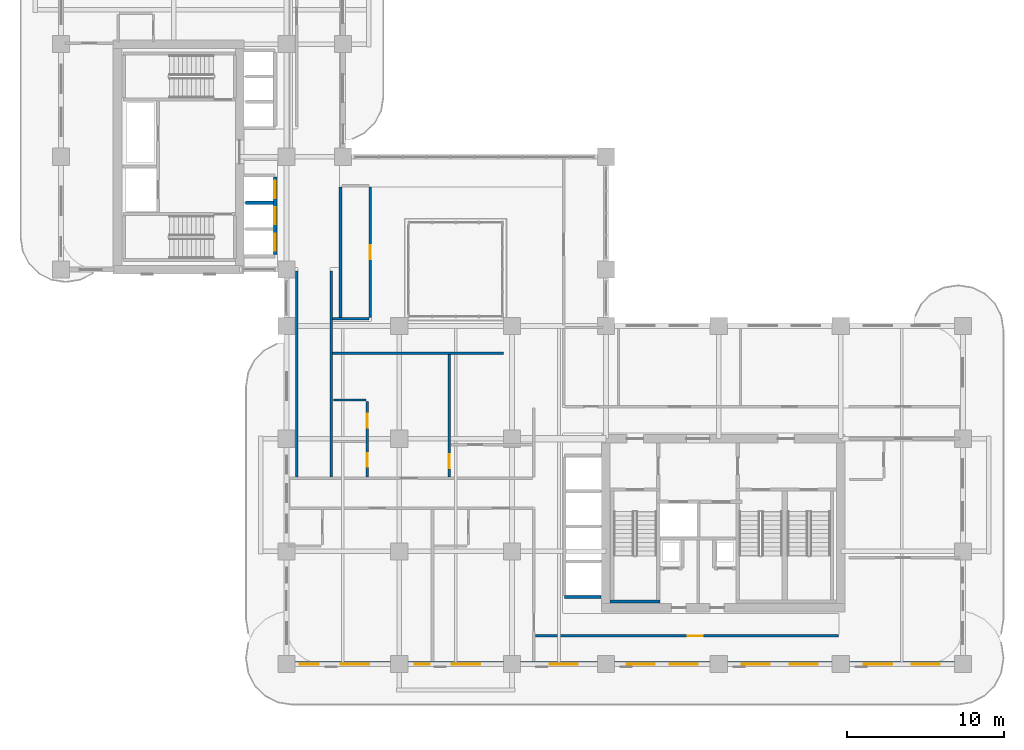
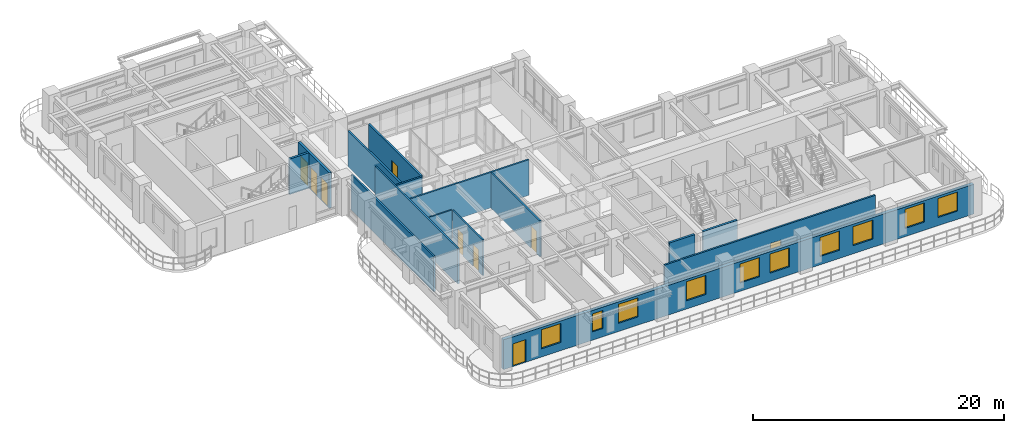
# One storey, part 13 of 22: 15 walls, 10 windows, 9 doors, 19 openings.
"""IFC4 building model written with IfcOpenShell, lengths in metres."""

import ifcopenshell
import ifcopenshell.guid

model = None  # the IFC model being written
_history = None  # IfcOwnerHistory: only IFC2X3 demands one
_inside = {}  # id of a spatial element -> (the spatial element, [elements in it])
_under = {}  # id of a project, library or spatial element -> (it, [spatial elements below it])
_declared = {}  # id of a project -> (the project, [libraries it declares])
_typed = {}  # id of a type object -> (the type object, [elements of that type])
_made_of = {}  # id of a material, layer set ... -> (it, [elements and type objects made of it])


def new_model(schema):
    """Start an empty IFC model of exactly this schema.

    Asked for "IFC4X3", IfcOpenShell would pick the latest addendum, in which some entities
    have other attributes; the version numbers below select the first issue.
    IFC2X3 requires an IfcOwnerHistory on every rooted entity: one is made here for all.
    """
    global model, _history
    if schema == "IFC4X3":
        model = ifcopenshell.file(schema_version=(4, 3, 0, 0))
    else:
        model = ifcopenshell.file(schema=schema)
    _inside.clear()
    _under.clear()
    _declared.clear()
    _typed.clear()
    _made_of.clear()
    _history = None
    if model.schema == "IFC2X3":
        org = make("IfcOrganization", Name="unknown")
        user = make(
            "IfcPersonAndOrganization",
            ThePerson=make("IfcPerson", FamilyName="unknown"),
            TheOrganization=org,
        )
        app = make(
            "IfcApplication",
            ApplicationDeveloper=org,
            Version="unknown",
            ApplicationFullName="unknown",
            ApplicationIdentifier="unknown",
        )
        _history = make(
            "IfcOwnerHistory",
            OwningUser=user,
            OwningApplication=app,
            ChangeAction="ADDED",
            CreationDate=0,
        )
    return model


def make(cls, **values):
    """One entity of the class cls with the attributes given. An attribute that is None is left unset."""
    return model.create_entity(
        cls, **{name: value for name, value in values.items() if value is not None}
    )


def rooted(cls, **values):
    """An entity with a GlobalId (a new one), such as an element, a storey or a relation."""
    return make(cls, GlobalId=ifcopenshell.guid.new(), OwnerHistory=_history, **values)


def si_unit(unit_type, name, prefix=None):
    """IfcSIUnit, for example si_unit("LENGTHUNIT", "METRE", prefix="MILLI")."""
    return make("IfcSIUnit", UnitType=unit_type, Prefix=prefix, Name=name)


def derived_unit(unit_type, elements):
    """IfcDerivedUnit: a product of units, each with its exponent."""
    return make(
        "IfcDerivedUnit",
        Elements=[
            make("IfcDerivedUnitElement", Unit=unit, Exponent=power)
            for unit, power in elements
        ],
        UnitType=unit_type,
    )


def assignment(units):
    """IfcUnitAssignment: the units of a project."""
    return None if units is None else make("IfcUnitAssignment", Units=units)


def point(xyz):
    """IfcCartesianPoint."""
    return None if xyz is None else make("IfcCartesianPoint", Coordinates=xyz)


def direction(xyz):
    """IfcDirection."""
    return None if xyz is None else make("IfcDirection", DirectionRatios=xyz)


def frame(location, z_axis=None, x_axis=None):
    """IfcAxis2Placement3D, a coordinate frame: its origin and axes. An axis left out is left unset."""
    return make(
        "IfcAxis2Placement3D",
        Location=point(location),
        Axis=direction(z_axis),
        RefDirection=direction(x_axis),
    )


def frame_2d(location, x_axis=None):
    """IfcAxis2Placement2D, a coordinate frame in the plane: its origin and x axis."""
    return make(
        "IfcAxis2Placement2D", Location=point(location), RefDirection=direction(x_axis)
    )


def origin():
    """The frame at (0, 0, 0) with its axes left unset."""
    return frame((0.0, 0.0, 0.0))


def place(relative_to, where):
    """IfcLocalPlacement: puts the frame where relative to a parent placement (None: the world)."""
    return make(
        "IfcLocalPlacement", PlacementRelTo=relative_to, RelativePlacement=where
    )


def context(
    kind, dimensions, precision=None, world=None, true_north=None, identifier=None
):
    """IfcGeometricRepresentationContext, for example the 3D "Model" context."""
    return make(
        "IfcGeometricRepresentationContext",
        ContextIdentifier=identifier,
        ContextType=kind,
        CoordinateSpaceDimension=dimensions,
        Precision=precision,
        WorldCoordinateSystem=world,
        TrueNorth=true_north,
    )


def subcontext(parent, identifier, kind, view, scale=None):
    """IfcGeometricRepresentationSubContext, for example "Body" below "Model"."""
    return make(
        "IfcGeometricRepresentationSubContext",
        ContextIdentifier=identifier,
        ContextType=kind,
        ParentContext=parent,
        TargetScale=scale,
        TargetView=view,
    )


def project(units=None, contexts=None):
    """IfcProject with its units and contexts."""
    return rooted(
        "IfcProject",
        Name="project",
        RepresentationContexts=contexts,
        UnitsInContext=assignment(units),
    )


def spatial(cls, under=None, at=None, **own):
    """A site, building, storey or space (cls), placed at a placement, below another one or the project."""
    s = rooted(cls, ObjectPlacement=at, **own)
    if under is not None:
        _under.setdefault(under.id(), (under, []))[1].append(s)
    return s


def profile(cls, at=None, kind="AREA", **sizes):
    """A parametric profile (cls). Its sizes go by their IFC names, for example OverallWidth=200.0."""
    return make(cls, ProfileType=kind, Position=at, **sizes)


def rectangle(**sizes):
    """IfcRectangleProfileDef."""
    return profile("IfcRectangleProfileDef", **sizes)


def extrude(swept, where, along, depth):
    """IfcExtrudedAreaSolid: the profile swept, set in the frame where, extruded along a direction by depth."""
    return make(
        "IfcExtrudedAreaSolid",
        SweptArea=swept,
        Position=where,
        ExtrudedDirection=direction(along),
        Depth=depth,
    )


def shape(context_of_items, identifier, shape_type, items):
    """IfcShapeRepresentation: the items that make up one representation, for example the "Body"."""
    return make(
        "IfcShapeRepresentation",
        ContextOfItems=context_of_items,
        RepresentationIdentifier=identifier,
        RepresentationType=shape_type,
        Items=items,
    )


def source(mapping_origin, context_of_items, identifier, shape_type, items):
    """IfcRepresentationMap: a shape defined once, which mapped items show again and again."""
    return make(
        "IfcRepresentationMap",
        MappingOrigin=mapping_origin,
        MappedRepresentation=shape(context_of_items, identifier, shape_type, items),
    )


def transform(
    local_origin,
    x_axis=None,
    y_axis=None,
    z_axis=None,
    scale=None,
    scale2=None,
    scale3=None,
    uniform=True,
):
    """IfcCartesianTransformationOperator3D, or its non-uniform kind. x_axis, y_axis, z_axis: its Axis1, 2, 3."""
    if uniform:
        return make(
            "IfcCartesianTransformationOperator3D",
            Axis1=direction(x_axis),
            Axis2=direction(y_axis),
            LocalOrigin=point(local_origin),
            Scale=scale,
            Axis3=direction(z_axis),
        )
    return make(
        "IfcCartesianTransformationOperator3DnonUniform",
        Axis1=direction(x_axis),
        Axis2=direction(y_axis),
        LocalOrigin=point(local_origin),
        Scale=scale,
        Axis3=direction(z_axis),
        Scale2=scale2,
        Scale3=scale3,
    )


def mapped(mapping_source, mapping_target):
    """IfcMappedItem: shows the shape of a source again, moved by a transform."""
    return make(
        "IfcMappedItem", MappingSource=mapping_source, MappingTarget=mapping_target
    )


def material(Name=None, Category=None):
    """IfcMaterial."""
    return make("IfcMaterial", Name=Name, Category=Category)


def layer(
    of_material, thickness, ventilated=None, Name=None, Category=None, Priority=None
):
    """IfcMaterialLayer: one layer of a wall or slab, of a material (None: an air gap)."""
    return make(
        "IfcMaterialLayer",
        Material=of_material,
        LayerThickness=thickness,
        IsVentilated=ventilated,
        Name=Name,
        Category=Category,
        Priority=Priority,
    )


def layer_set(layers, Name=None):
    """IfcMaterialLayerSet."""
    return make("IfcMaterialLayerSet", MaterialLayers=layers, LayerSetName=Name)


def made_of(thing, what):
    """Note that an element or type object is made of a material, layer set ...; save() writes the relation."""
    if what is not None:
        _made_of.setdefault(what.id(), (what, []))[1].append(thing)
    return thing


def type_object(cls, material=None, **own):
    """A type object (cls), such as IfcWallType, which elements share."""
    return made_of(rooted(cls, **own), material)


def type_shapes(of_type, sources):
    """Give a type object the sources (RepresentationMaps) that its elements show as mapped items."""
    of_type.RepresentationMaps = sources


def element(
    cls,
    number,
    at=None,
    inside=None,
    cuts=None,
    type_object=None,
    material=None,
    context=None,
    identifier="Body",
    shape_type=None,
    held_by="IfcProductDefinitionShape",
    body=None,
    shapes=None,
    **own,
):
    """One element of the class cls, such as IfcWall. Its Tag is "e" and its number.

    at: its placement. inside: the storey or other place that contains it. cuts: it is an
    opening in that element (IfcRelVoidsElement). A single representation is given by context,
    identifier, shape_type and body (its items); several are given by shapes. held_by: the class
    of the entity that holds the representations. save() writes the other relations.
    """
    e = rooted(cls, Tag="e%d" % number, ObjectPlacement=at, **own)
    if body is not None:
        shapes = [shape(context, identifier, shape_type, body)]
    if shapes is not None:
        e.Representation = make(held_by, Representations=shapes)
    if inside is not None:
        _inside.setdefault(inside.id(), (inside, []))[1].append(e)
    if cuts is not None:
        rooted(
            "IfcRelVoidsElement", RelatingBuildingElement=cuts, RelatedOpeningElement=e
        )
    if type_object is not None:
        _typed.setdefault(type_object.id(), (type_object, []))[1].append(e)
    return made_of(e, material)


def fill(opening, filler):
    """IfcRelFillsElement: the door or window that sits in an opening."""
    return rooted(
        "IfcRelFillsElement",
        RelatingOpeningElement=opening,
        RelatedBuildingElement=filler,
    )


def aggregate(whole, parts):
    """IfcRelAggregates: a whole, such as a stair, and the parts it consists of."""
    return rooted("IfcRelAggregates", RelatingObject=whole, RelatedObjects=parts)


def save(model, path):
    """Write the relations noted so far, then the file.

    IfcRelAggregates (storeys below a building ...), IfcRelContainedInSpatialStructure (elements
    in a storey), IfcRelDefinesByType, IfcRelAssociatesMaterial and IfcRelDeclares: one each for
    every whole, place, type object, material and project.
    """
    for whole, parts in _under.values():
        aggregate(whole, parts)
    for where, things in _inside.values():
        rooted(
            "IfcRelContainedInSpatialStructure",
            RelatedElements=things,
            RelatingStructure=where,
        )
    for kind, things in _typed.values():
        rooted("IfcRelDefinesByType", RelatedObjects=things, RelatingType=kind)
    for what, things in _made_of.values():
        rooted("IfcRelAssociatesMaterial", RelatedObjects=things, RelatingMaterial=what)
    for by, libraries in _declared.values():
        rooted("IfcRelDeclares", RelatingContext=by, RelatedDefinitions=libraries)
    model.write(path)


model = new_model("IFC4")

# Units and contexts
model_context = context("Model", 3, precision=1e-05, world=origin(), true_north=direction((0.0, 1.0)))
body_context = subcontext(model_context, "Body", "Model", "MODEL_VIEW")
ifc_project = project(units=[si_unit("LENGTHUNIT", "METRE"), si_unit("AREAUNIT", "SQUARE_METRE"), si_unit("VOLUMEUNIT", "CUBIC_METRE"), si_unit("PLANEANGLEUNIT", "RADIAN"), si_unit("MASSUNIT", "GRAM", prefix="KILO"), si_unit("THERMODYNAMICTEMPERATUREUNIT", "KELVIN"), si_unit("POWERUNIT", "WATT"), derived_unit("THERMALTRANSMITTANCEUNIT", [(si_unit("POWERUNIT", "WATT"), 1), (si_unit("AREAUNIT", "SQUARE_METRE"), -1), (si_unit("THERMODYNAMICTEMPERATUREUNIT", "KELVIN"), -1)])], contexts=[model_context])

# Site, building, storey
site_placement = place(None, origin())
site = spatial("IfcSite", under=ifc_project, at=site_placement, CompositionType="ELEMENT")
building_placement = place(site_placement, origin())
building = spatial("IfcBuilding", under=site, at=building_placement, Name="Zahravan Archway Hotel and Residences", CompositionType="ELEMENT")
storey_placement = place(building_placement, frame((0.0, 0.0, 91.60009765625)))
storey = spatial("IfcBuildingStorey", under=building, at=storey_placement, Name="L22", CompositionType="ELEMENT", Elevation=91.60009765625)

# Wall, openings, door, windows
ifc_material_1 = material(Name="Agra Buff Sandstone & Insulated Backup", Category="masonry")
ifc_layer_1 = layer(ifc_material_1, 0.320068359375, Name="Agra Buff Sandstone & Insulated Backup", Category="masonry")
ifc_layer_set_1 = layer_set([ifc_layer_1], Name="Agra Buff Sandstone & Insulated Backup")
wall_type_1 = type_object("IfcWallType", Name="EW-SAND-320", PredefinedType="SOLIDWALL", material=ifc_layer_set_1)
wall_1_placement = place(storey_placement, frame((14.39990234375, 0.0, 0.0), z_axis=(0.0, 0.0, 1.0), x_axis=(1.0, 0.0, 0.0)))
wall_1 = element("IfcWall", 1, at=wall_1_placement, inside=storey, type_object=wall_type_1, Name="L22 Exterior Sandstone Wall WA-S", PredefinedType="SOLIDWALL", context=body_context, shape_type="SweptSolid", body=[
    extrude(rectangle(XDim=43.2001953125, YDim=0.320068359375, at=frame_2d((21.60009765625, 0.0))), origin(), (0.0, 0.0, 1.0), 2.885009765625),
])
opening_1_placement = place(wall_1_placement, frame((0.85009765625, 0.0, 0.0)))
opening_1 = element("IfcOpeningElement", 2, at=opening_1_placement, cuts=wall_1, Name="Opening ED-BL1", PredefinedType="OPENING", context=body_context, shape_type="SweptSolid", body=[
    extrude(rectangle(XDim=1.199951171875, YDim=2.199951171875, at=frame_2d((0.60009765625, 1.10009765625))), frame((0.0, 0.169921875, 0.0), z_axis=(0.0, -1.0, 0.0), x_axis=(1.0, 0.0, 0.0)), (0.0, 0.0, 1.0), 0.340087890625),
])
opening_2_placement = place(wall_1_placement, frame((3.47509765625, 0.0, 0.800048828125)))
opening_2 = element("IfcOpeningElement", 3, at=opening_2_placement, cuts=wall_1, Name="Opening W-02", PredefinedType="OPENING", context=body_context, shape_type="SweptSolid", body=[
    extrude(rectangle(XDim=1.800048828125, YDim=1.85009765625, at=frame_2d((0.89990234375, 0.925048828125))), frame((0.0, 0.169921875, 0.0), z_axis=(0.0, -1.0, 0.0), x_axis=(1.0, 0.0, 0.0)), (0.0, 0.0, 1.0), 0.340087890625),
])
opening_3_placement = place(wall_1_placement, frame((8.180908203125, 0.0, 0.800048828125)))
opening_3 = element("IfcOpeningElement", 4, at=opening_3_placement, cuts=wall_1, Name="Opening W-04", PredefinedType="OPENING", context=body_context, shape_type="SweptSolid", body=[
    extrude(rectangle(XDim=0.949951171875, YDim=1.75, at=frame_2d((0.47509765625, 0.875))), frame((0.0, 0.169921875, 0.0), z_axis=(0.0, -1.0, 0.0), x_axis=(1.0, 0.0, 0.0)), (0.0, 0.0, 1.0), 0.340087890625),
])
opening_4_placement = place(wall_1_placement, frame((10.56396484375, 0.0, 0.800048828125)))
opening_4 = element("IfcOpeningElement", 5, at=opening_4_placement, cuts=wall_1, Name="Opening W-02", PredefinedType="OPENING", context=body_context, shape_type="SweptSolid", body=[
    extrude(rectangle(XDim=1.800048828125, YDim=1.85009765625, at=frame_2d((0.89990234375, 0.925048828125))), frame((0.0, 0.169921875, 0.0), z_axis=(0.0, -1.0, 0.0), x_axis=(1.0, 0.0, 0.0)), (0.0, 0.0, 1.0), 0.340087890625),
])
opening_5_placement = place(wall_1_placement, frame((16.803955078125, 0.0, 0.800048828125)))
opening_5 = element("IfcOpeningElement", 6, at=opening_5_placement, cuts=wall_1, Name="Opening W-02", PredefinedType="OPENING", context=body_context, shape_type="SweptSolid", body=[
    extrude(rectangle(XDim=1.800048828125, YDim=1.85009765625, at=frame_2d((0.89990234375, 0.925048828125))), frame((0.0, 0.169921875, 0.0), z_axis=(0.0, -1.0, 0.0), x_axis=(1.0, 0.0, 0.0)), (0.0, 0.0, 1.0), 0.340087890625),
])
opening_6_placement = place(wall_1_placement, frame((21.72509765625, 0.0, 0.800048828125)))
opening_6 = element("IfcOpeningElement", 7, at=opening_6_placement, cuts=wall_1, Name="Opening W-02", PredefinedType="OPENING", context=body_context, shape_type="SweptSolid", body=[
    extrude(rectangle(XDim=1.800048828125, YDim=1.85009765625, at=frame_2d((0.89990234375, 0.925048828125))), frame((0.0, 0.169921875, 0.0), z_axis=(0.0, -1.0, 0.0), x_axis=(1.0, 0.0, 0.0)), (0.0, 0.0, 1.0), 0.340087890625),
])
opening_7_placement = place(wall_1_placement, frame((24.47509765625, 0.0, 0.800048828125)))
opening_7 = element("IfcOpeningElement", 8, at=opening_7_placement, cuts=wall_1, Name="Opening W-02", PredefinedType="OPENING", context=body_context, shape_type="SweptSolid", body=[
    extrude(rectangle(XDim=1.800048828125, YDim=1.85009765625, at=frame_2d((0.89990234375, 0.925048828125))), frame((0.0, 0.169921875, 0.0), z_axis=(0.0, -1.0, 0.0), x_axis=(1.0, 0.0, 0.0)), (0.0, 0.0, 1.0), 0.340087890625),
])
opening_8_placement = place(wall_1_placement, frame((29.074951171875, 0.0, 0.800048828125)))
opening_8 = element("IfcOpeningElement", 9, at=opening_8_placement, cuts=wall_1, Name="Opening W-02", PredefinedType="OPENING", context=body_context, shape_type="SweptSolid", body=[
    extrude(rectangle(XDim=1.800048828125, YDim=1.85009765625, at=frame_2d((0.89990234375, 0.925048828125))), frame((0.0, 0.169921875, 0.0), z_axis=(0.0, -1.0, 0.0), x_axis=(1.0, 0.0, 0.0)), (0.0, 0.0, 1.0), 0.340087890625),
])
opening_9_placement = place(wall_1_placement, frame((32.125, 0.0, 0.800048828125)))
opening_9 = element("IfcOpeningElement", 10, at=opening_9_placement, cuts=wall_1, Name="Opening W-02", PredefinedType="OPENING", context=body_context, shape_type="SweptSolid", body=[
    extrude(rectangle(XDim=1.800048828125, YDim=1.85009765625, at=frame_2d((0.89990234375, 0.925048828125))), frame((0.0, 0.169921875, 0.0), z_axis=(0.0, -1.0, 0.0), x_axis=(1.0, 0.0, 0.0)), (0.0, 0.0, 1.0), 0.340087890625),
])
opening_10_placement = place(wall_1_placement, frame((36.875, 0.0, 0.800048828125)))
opening_10 = element("IfcOpeningElement", 11, at=opening_10_placement, cuts=wall_1, Name="Opening W-02", PredefinedType="OPENING", context=body_context, shape_type="SweptSolid", body=[
    extrude(rectangle(XDim=1.800048828125, YDim=1.85009765625, at=frame_2d((0.89990234375, 0.925048828125))), frame((0.0, 0.169921875, 0.0), z_axis=(0.0, -1.0, 0.0), x_axis=(1.0, 0.0, 0.0)), (0.0, 0.0, 1.0), 0.340087890625),
])
opening_11_placement = place(wall_1_placement, frame((39.925048828125, 0.0, 0.800048828125)))
opening_11 = element("IfcOpeningElement", 12, at=opening_11_placement, cuts=wall_1, Name="Opening W-02", PredefinedType="OPENING", context=body_context, shape_type="SweptSolid", body=[
    extrude(rectangle(XDim=1.800048828125, YDim=1.85009765625, at=frame_2d((0.89990234375, 0.925048828125))), frame((0.0, 0.169921875, 0.0), z_axis=(0.0, -1.0, 0.0), x_axis=(1.0, 0.0, 0.0)), (0.0, 0.0, 1.0), 0.340087890625),
])
ifc_material_2 = material(Name="Bronze-Anodized Glazed Aluminium", Category="aluminium")
door_type_1 = type_object("IfcDoorType", Name="ED-BALC-1200", OperationType="SLIDING_TO_LEFT", PredefinedType="DOOR", material=ifc_material_2)
shared_shape_1 = source(origin(), body_context, "Body", "SweptSolid", [
    extrude(rectangle(XDim=1.199951171875, YDim=2.199951171875, at=frame_2d((0.60009765625, 1.10009765625))), frame((0.0, 0.02490234375, 0.0), z_axis=(0.0, -1.0, 0.0), x_axis=(1.0, 0.0, 0.0)), (0.0, 0.0, 1.0), 0.050048828125),
])
type_shapes(door_type_1, [shared_shape_1])
door_1_placement = place(opening_1_placement, origin())
door_1 = element("IfcDoor", 13, at=door_1_placement, inside=storey, type_object=door_type_1, Name="L22 Outdoor Access Sliding Door (SLB-BAL-L22-SA)", OperationType="SLIDING_TO_LEFT", OverallHeight=2.199951171875, OverallWidth=1.199951171875, PredefinedType="DOOR", context=body_context, shape_type="MappedRepresentation", body=[
    mapped(shared_shape_1, transform((0.0, 0.0, 0.0), scale=1.0)),
])
fill(opening_1, door_1)
ifc_material_3 = material(Name="Bronze-Anodized Thermal-Break Aluminium & Low-E Glass", Category="aluminium")
window_type_1 = type_object("IfcWindowType", Name="WIN-NAR-950", PartitioningType="SINGLE_PANEL", PredefinedType="WINDOW", material=ifc_material_3)
shared_shape_2 = source(origin(), body_context, "Body", "SweptSolid", [
    extrude(rectangle(XDim=0.949951171875, YDim=1.75, at=frame_2d((0.47509765625, 0.875))), frame((0.0, 0.030029296875, 0.0), z_axis=(0.0, -1.0, 0.0), x_axis=(1.0, 0.0, 0.0)), (0.0, 0.0, 1.0), 0.06005859375),
])
type_shapes(window_type_1, [shared_shape_2])
window_1_placement = place(opening_3_placement, origin())
window_1 = element("IfcWindow", 14, at=window_1_placement, inside=storey, type_object=window_type_1, Name="L22 Loggia Window 02", OverallHeight=1.75, OverallWidth=0.949951171875, PartitioningType="SINGLE_PANEL", PredefinedType="WINDOW", context=body_context, shape_type="MappedRepresentation", body=[
    mapped(shared_shape_2, transform((0.0, 0.0, 0.0), scale=1.0)),
])
fill(opening_3, window_1)
window_type_2 = type_object("IfcWindowType", Name="WIN-TWR-1800", PartitioningType="DOUBLE_PANEL_VERTICAL", PredefinedType="WINDOW", material=ifc_material_3)
shared_shape_3 = source(origin(), body_context, "Body", "SweptSolid", [
    extrude(rectangle(XDim=1.800048828125, YDim=1.85009765625, at=frame_2d((0.89990234375, 0.925048828125))), frame((0.0, 0.030029296875, 0.0), z_axis=(0.0, -1.0, 0.0), x_axis=(1.0, 0.0, 0.0)), (0.0, 0.0, 1.0), 0.06005859375),
])
type_shapes(window_type_2, [shared_shape_3])
window_2_placement = place(opening_2_placement, origin())
window_2 = element("IfcWindow", 15, at=window_2_placement, inside=storey, type_object=window_type_2, Name="L22 Loggia Window 01", OverallHeight=1.85009765625, OverallWidth=1.800048828125, PartitioningType="DOUBLE_PANEL_VERTICAL", PredefinedType="WINDOW", context=body_context, shape_type="MappedRepresentation", body=[
    mapped(shared_shape_3, transform((0.0, 0.0, 0.0), scale=1.0)),
])
fill(opening_2, window_2)
window_3_placement = place(opening_4_placement, origin())
window_3 = element("IfcWindow", 16, at=window_3_placement, inside=storey, type_object=window_type_2, Name="L22 Loggia Window 03", OverallHeight=1.85009765625, OverallWidth=1.800048828125, PartitioningType="DOUBLE_PANEL_VERTICAL", PredefinedType="WINDOW", context=body_context, shape_type="MappedRepresentation", body=[
    mapped(shared_shape_3, transform((0.0, 0.0, 0.0), scale=1.0)),
])
fill(opening_4, window_3)
window_4_placement = place(opening_5_placement, origin())
window_4 = element("IfcWindow", 17, at=window_4_placement, inside=storey, type_object=window_type_2, Name="L22 Loggia Window 04", OverallHeight=1.85009765625, OverallWidth=1.800048828125, PartitioningType="DOUBLE_PANEL_VERTICAL", PredefinedType="WINDOW", context=body_context, shape_type="MappedRepresentation", body=[
    mapped(shared_shape_3, transform((0.0, 0.0, 0.0), scale=1.0)),
])
fill(opening_5, window_4)
window_5_placement = place(opening_6_placement, origin())
window_5 = element("IfcWindow", 18, at=window_5_placement, inside=storey, type_object=window_type_2, Name="L22 Loggia Window 05", OverallHeight=1.85009765625, OverallWidth=1.800048828125, PartitioningType="DOUBLE_PANEL_VERTICAL", PredefinedType="WINDOW", context=body_context, shape_type="MappedRepresentation", body=[
    mapped(shared_shape_3, transform((0.0, 0.0, 0.0), scale=1.0)),
])
fill(opening_6, window_5)
window_6_placement = place(opening_7_placement, origin())
window_6 = element("IfcWindow", 19, at=window_6_placement, inside=storey, type_object=window_type_2, Name="L22 Loggia Window 06", OverallHeight=1.85009765625, OverallWidth=1.800048828125, PartitioningType="DOUBLE_PANEL_VERTICAL", PredefinedType="WINDOW", context=body_context, shape_type="MappedRepresentation", body=[
    mapped(shared_shape_3, transform((0.0, 0.0, 0.0), scale=1.0)),
])
fill(opening_7, window_6)
window_7_placement = place(opening_8_placement, origin())
window_7 = element("IfcWindow", 20, at=window_7_placement, inside=storey, type_object=window_type_2, Name="L22 Loggia Window 07", OverallHeight=1.85009765625, OverallWidth=1.800048828125, PartitioningType="DOUBLE_PANEL_VERTICAL", PredefinedType="WINDOW", context=body_context, shape_type="MappedRepresentation", body=[
    mapped(shared_shape_3, transform((0.0, 0.0, 0.0), scale=1.0)),
])
fill(opening_8, window_7)
window_8_placement = place(opening_9_placement, origin())
window_8 = element("IfcWindow", 21, at=window_8_placement, inside=storey, type_object=window_type_2, Name="L22 Loggia Window 08", OverallHeight=1.85009765625, OverallWidth=1.800048828125, PartitioningType="DOUBLE_PANEL_VERTICAL", PredefinedType="WINDOW", context=body_context, shape_type="MappedRepresentation", body=[
    mapped(shared_shape_3, transform((0.0, 0.0, 0.0), scale=1.0)),
])
fill(opening_9, window_8)
window_9_placement = place(opening_10_placement, origin())
window_9 = element("IfcWindow", 22, at=window_9_placement, inside=storey, type_object=window_type_2, Name="L22 Loggia Window 09", OverallHeight=1.85009765625, OverallWidth=1.800048828125, PartitioningType="DOUBLE_PANEL_VERTICAL", PredefinedType="WINDOW", context=body_context, shape_type="MappedRepresentation", body=[
    mapped(shared_shape_3, transform((0.0, 0.0, 0.0), scale=1.0)),
])
fill(opening_10, window_9)
window_10_placement = place(opening_11_placement, origin())
window_10 = element("IfcWindow", 23, at=window_10_placement, inside=storey, type_object=window_type_2, Name="L22 Loggia Window 10", OverallHeight=1.85009765625, OverallWidth=1.800048828125, PartitioningType="DOUBLE_PANEL_VERTICAL", PredefinedType="WINDOW", context=body_context, shape_type="MappedRepresentation", body=[
    mapped(shared_shape_3, transform((0.0, 0.0, 0.0), scale=1.0)),
])
fill(opening_11, window_10)

# Wall, opening, door
ifc_material_4 = material(Name="Fire-Rated Gypsum & Concrete Block", Category="concrete")
ifc_layer_2 = layer(ifc_material_4, 0.159912109375, Name="Fire-Rated Gypsum & Concrete Block", Category="concrete")
ifc_layer_set_2 = layer_set([ifc_layer_2], Name="Fire-Rated Gypsum & Concrete Block")
wall_type_2 = type_object("IfcWallType", Name="PW-CORR-160", PredefinedType="PARTITIONING", material=ifc_layer_set_2)
wall_2_placement = place(storey_placement, frame((30.2900390625, 1.800048828125, 0.0), z_axis=(0.0, 0.0, 1.0), x_axis=(1.0, 0.0, 0.0)))
wall_2 = element("IfcWall", 24, at=wall_2_placement, inside=storey, type_object=wall_type_2, Name="L22 Partition WA-SRS", PredefinedType="PARTITIONING", context=body_context, shape_type="SweptSolid", body=[
    extrude(rectangle(XDim=19.369873046875, YDim=0.159912109375, at=frame_2d((9.68505859375, 0.0))), origin(), (0.0, 0.0, 1.0), 3.449951171875),
])
opening_12_placement = place(wall_2_placement, frame((9.735107421875, 0.0, 0.0)))
opening_12 = element("IfcOpeningElement", 25, at=opening_12_placement, cuts=wall_2, Name="Opening D-I1", PredefinedType="OPENING", context=body_context, shape_type="SweptSolid", body=[
    extrude(rectangle(XDim=0.949951171875, YDim=2.14990234375, at=frame_2d((0.47509765625, 1.074951171875))), frame((0.0, 0.08984375, 0.0), z_axis=(0.0, -1.0, 0.0), x_axis=(1.0, 0.0, 0.0)), (0.0, 0.0, 1.0), 0.179931640625),
])
ifc_material_5 = material(Name="Hardwood Veneer Timber", Category="wood")
door_type_2 = type_object("IfcDoorType", Name="ID-INT-950", OperationType="NOTDEFINED", PredefinedType="DOOR", material=ifc_material_5)
shared_shape_4 = source(origin(), body_context, "Body", "SweptSolid", [
    extrude(rectangle(XDim=0.949951171875, YDim=2.14990234375, at=frame_2d((0.47509765625, 1.074951171875))), frame((0.0, 0.02490234375, 0.0), z_axis=(0.0, -1.0, 0.0), x_axis=(1.0, 0.0, 0.0)), (0.0, 0.0, 1.0), 0.050048828125),
])
type_shapes(door_type_2, [shared_shape_4])
door_2_placement = place(opening_12_placement, origin())
door_2 = element("IfcDoor", 26, at=door_2_placement, inside=storey, type_object=door_type_2, Name="L22 South Viewing Lounge Door", OperationType="SINGLE_SWING_LEFT", OverallHeight=2.14990234375, OverallWidth=0.949951171875, PredefinedType="DOOR", context=body_context, shape_type="MappedRepresentation", body=[
    mapped(shared_shape_4, transform((0.0, 0.0, 0.0), scale=1.0)),
])
fill(opening_12, door_2)

# Walls
for number, where, z_axis, x_axis, name in (
    (27, (15.050048828125, 11.9599609375, 0.0), (0.0, 0.0, 1.0), (0.0, 1.0, 0.0), "L22 Partition LNK-W"),
    (28, (17.25, 11.9599609375, 0.0), (0.0, 0.0, 1.0), (0.0, 1.0, 0.0), "L22 Partition LNK-E"),
):
    element("IfcWall", number, at=place(storey_placement, frame(where, z_axis=z_axis, x_axis=x_axis)), inside=storey, type_object=wall_type_2, Name=name, PredefinedType="PARTITIONING", context=body_context, shape_type="SweptSolid", body=[
        extrude(rectangle(XDim=13.150146484375, YDim=0.159912109375, at=frame_2d((6.5751953125, 0.0))), origin(), (0.0, 0.0, 1.0), 3.449951171875),
    ])
wall_3_placement = place(storey_placement, frame((17.340087890625, 19.85009765625, 0.0), z_axis=(0.0, 0.0, 1.0), x_axis=(1.0, 0.0, 0.0)))
element("IfcWall", 29, at=wall_3_placement, inside=storey, type_object=wall_type_2, Name="L22 Partition ATR-S", PredefinedType="PARTITIONING", context=body_context, shape_type="SweptSolid", body=[
    extrude(rectangle(XDim=10.919921875, YDim=0.159912109375, at=frame_2d((5.4599609375, 0.0))), origin(), (0.0, 0.0, 1.0), 3.449951171875),
])
ifc_layer_3 = layer(ifc_material_4, 0.199951171875, Name="Fire-Rated Gypsum & Concrete Block", Category="concrete")
ifc_layer_set_3 = layer_set([ifc_layer_3], Name="Fire-Rated Gypsum & Concrete Block")
wall_type_3 = type_object("IfcWallType", Name="PW-SHAFT-200", PredefinedType="PARTITIONING", material=ifc_layer_set_3)
wall_4_placement = place(storey_placement, frame((32.159912109375, 4.280029296875, 0.0), z_axis=(0.0, 0.0, 1.0), x_axis=(1.0, 0.0, 0.0)))
element("IfcWall", 30, at=wall_4_placement, inside=storey, type_object=wall_type_3, Name="L22 Partition B3-S", PredefinedType="PARTITIONING", context=body_context, shape_type="SweptSolid", body=[
    extrude(rectangle(XDim=2.335205078125, YDim=0.199951171875, at=frame_2d((1.16748046875, 0.0))), origin(), (0.0, 0.0, 1.0), 3.449951171875),
])

# Wall, openings, doors
wall_5_placement = place(storey_placement, frame((13.679931640625, 26.159912109375, 0.0), z_axis=(0.0, 0.0, 1.0), x_axis=(0.0, 1.0, 0.0)))
wall_5 = element("IfcWall", 31, at=wall_5_placement, inside=storey, type_object=wall_type_3, Name="L22 Partition B1-E", PredefinedType="PARTITIONING", context=body_context, shape_type="SweptSolid", body=[
    extrude(rectangle(XDim=4.940185546875, YDim=0.199951171875, at=frame_2d((2.47021484375, 0.0))), origin(), (0.0, 0.0, 1.0), 3.449951171875),
])
opening_13_placement = place(wall_5_placement, frame((0.239990234375, 0.0, 0.0)))
opening_13 = element("IfcOpeningElement", 32, at=opening_13_placement, cuts=wall_5, Name="Opening LD", PredefinedType="OPENING", context=body_context, shape_type="SweptSolid", body=[
    extrude(rectangle(XDim=1.10009765625, YDim=2.199951171875, at=frame_2d((0.550048828125, 1.10009765625))), frame((0.0, 0.10986328125, 0.0), z_axis=(0.0, -1.0, 0.0), x_axis=(1.0, 0.0, 0.0)), (0.0, 0.0, 1.0), 0.219970703125),
])
opening_14_placement = place(wall_5_placement, frame((1.919921875, 0.0, 0.0)))
opening_14 = element("IfcOpeningElement", 33, at=opening_14_placement, cuts=wall_5, Name="Opening LD", PredefinedType="OPENING", context=body_context, shape_type="SweptSolid", body=[
    extrude(rectangle(XDim=1.10009765625, YDim=2.199951171875, at=frame_2d((0.550048828125, 1.10009765625))), frame((0.0, 0.10986328125, 0.0), z_axis=(0.0, -1.0, 0.0), x_axis=(1.0, 0.0, 0.0)), (0.0, 0.0, 1.0), 0.219970703125),
])
opening_15_placement = place(wall_5_placement, frame((3.60009765625, 0.0, 0.0)))
opening_15 = element("IfcOpeningElement", 34, at=opening_15_placement, cuts=wall_5, Name="Opening LD", PredefinedType="OPENING", context=body_context, shape_type="SweptSolid", body=[
    extrude(rectangle(XDim=1.10009765625, YDim=2.199951171875, at=frame_2d((0.550048828125, 1.10009765625))), frame((0.0, 0.10986328125, 0.0), z_axis=(0.0, -1.0, 0.0), x_axis=(1.0, 0.0, 0.0)), (0.0, 0.0, 1.0), 0.219970703125),
])
ifc_material_6 = material(Name="Brushed Stainless Steel", Category="steel")
door_type_3 = type_object("IfcDoorType", Name="DR-LIFT-LD", OperationType="SLIDING_TO_LEFT", PredefinedType="DOOR", material=ifc_material_6)
shared_shape_5 = source(origin(), body_context, "Body", "SweptSolid", [
    extrude(rectangle(XDim=1.10009765625, YDim=2.199951171875, at=frame_2d((0.550048828125, 1.10009765625))), frame((0.0, 0.02490234375, 0.0), z_axis=(0.0, -1.0, 0.0), x_axis=(1.0, 0.0, 0.0)), (0.0, 0.0, 1.0), 0.050048828125),
])
type_shapes(door_type_3, [shared_shape_5])
door_3_placement = place(opening_13_placement, origin())
door_3 = element("IfcDoor", 35, at=door_3_placement, inside=storey, type_object=door_type_3, Name="L22 Lift LP-1 Sliding Landing Door", OperationType="SLIDING_TO_LEFT", OverallHeight=2.199951171875, OverallWidth=1.10009765625, PredefinedType="DOOR", context=body_context, shape_type="MappedRepresentation", body=[
    mapped(shared_shape_5, transform((0.0, 0.0, 0.0), scale=1.0)),
])
fill(opening_13, door_3)
door_4_placement = place(opening_14_placement, origin())
door_4 = element("IfcDoor", 36, at=door_4_placement, inside=storey, type_object=door_type_3, Name="L22 Lift LP-2 Sliding Landing Door", OperationType="SLIDING_TO_LEFT", OverallHeight=2.199951171875, OverallWidth=1.10009765625, PredefinedType="DOOR", context=body_context, shape_type="MappedRepresentation", body=[
    mapped(shared_shape_5, transform((0.0, 0.0, 0.0), scale=1.0)),
])
fill(opening_14, door_4)
door_5_placement = place(opening_15_placement, origin())
door_5 = element("IfcDoor", 37, at=door_5_placement, inside=storey, type_object=door_type_3, Name="L22 Lift LP-3 Sliding Landing Door", OperationType="SLIDING_TO_LEFT", OverallHeight=2.199951171875, OverallWidth=1.10009765625, PredefinedType="DOOR", context=body_context, shape_type="MappedRepresentation", body=[
    mapped(shared_shape_5, transform((0.0, 0.0, 0.0), scale=1.0)),
])
fill(opening_15, door_5)

# Wall
wall_6_placement = place(storey_placement, frame((11.784912109375, 29.469970703125, 0.0), z_axis=(0.0, 0.0, 1.0), x_axis=(1.0, 0.0, 0.0)))
element("IfcWall", 38, at=wall_6_placement, inside=storey, type_object=wall_type_3, Name="L22 Partition B1-D", PredefinedType="PARTITIONING", context=body_context, shape_type="SweptSolid", body=[
    extrude(rectangle(XDim=1.78515625, YDim=0.199951171875, at=frame_2d((0.892578125, 0.0))), origin(), (0.0, 0.0, 1.0), 3.449951171875),
])

# Wall, opening, door
ifc_material_7 = material(Name="Acoustic Stud Partition")
ifc_layer_4 = layer(ifc_material_7, 0.14990234375, Name="Acoustic Stud Partition")
ifc_layer_set_4 = layer_set([ifc_layer_4], Name="Acoustic Stud Partition")
wall_type_4 = type_object("IfcWallType", Name="PW-UNIT-150", PredefinedType="PARTITIONING", material=ifc_layer_set_4)
wall_7_placement = place(storey_placement, frame((24.800048828125, 11.9599609375, 0.0), z_axis=(0.0, 0.0, 1.0), x_axis=(0.0, 1.0, 0.0)))
wall_7 = element("IfcWall", 39, at=wall_7_placement, inside=storey, type_object=wall_type_4, Name="L22 Partition FL-AT1-SP", PredefinedType="PARTITIONING", context=body_context, shape_type="SweptSolid", body=[
    extrude(rectangle(XDim=7.800048828125, YDim=0.14990234375, at=frame_2d((3.89990234375, 0.0))), origin(), (0.0, 0.0, 1.0), 3.449951171875),
])
opening_16_placement = place(wall_7_placement, frame((0.534912109375, 0.0, 0.0)))
opening_16 = element("IfcOpeningElement", 40, at=opening_16_placement, cuts=wall_7, Name="Opening D-I2", PredefinedType="OPENING", context=body_context, shape_type="SweptSolid", body=[
    extrude(rectangle(XDim=0.89990234375, YDim=2.14990234375, at=frame_2d((0.449951171875, 1.074951171875))), frame((0.0, 0.0849609375, 0.0), z_axis=(0.0, -1.0, 0.0), x_axis=(1.0, 0.0, 0.0)), (0.0, 0.0, 1.0), 0.169921875),
])
door_type_4 = type_object("IfcDoorType", Name="ID-INT-900", OperationType="NOTDEFINED", PredefinedType="DOOR", material=ifc_material_5)
shared_shape_6 = source(origin(), body_context, "Body", "SweptSolid", [
    extrude(rectangle(XDim=0.89990234375, YDim=2.14990234375, at=frame_2d((0.449951171875, 1.074951171875))), frame((0.0, 0.02490234375, 0.0), z_axis=(0.0, -1.0, 0.0), x_axis=(1.0, 0.0, 0.0)), (0.0, 0.0, 1.0), 0.050048828125),
])
type_shapes(door_type_4, [shared_shape_6])
door_6_placement = place(opening_16_placement, origin())
door_6 = element("IfcDoor", 41, at=door_6_placement, inside=storey, type_object=door_type_4, Name="L22 Flat AT1 Bedroom Hall Door", OperationType="SINGLE_SWING_LEFT", OverallHeight=2.14990234375, OverallWidth=0.89990234375, PredefinedType="DOOR", context=body_context, shape_type="MappedRepresentation", body=[
    mapped(shared_shape_6, transform((0.0, 0.0, 0.0), scale=1.0)),
])
fill(opening_16, door_6)

# Walls
ifc_layer_5 = layer(ifc_material_7, 0.169921875, Name="Acoustic Stud Partition")
ifc_layer_set_5 = layer_set([ifc_layer_5], Name="Acoustic Stud Partition")
wall_type_5 = type_object("IfcWallType", Name="PW-UNIT-170", PredefinedType="PARTITIONING", material=ifc_layer_set_5)
wall_8_placement = place(storey_placement, frame((17.340087890625, 22.050048828125, 0.0), z_axis=(0.0, 0.0, 1.0), x_axis=(1.0, 0.0, 0.0)))
element("IfcWall", 42, at=wall_8_placement, inside=storey, type_object=wall_type_5, Name="L22 Partition ATR-WLS", PredefinedType="PARTITIONING", context=body_context, shape_type="SweptSolid", body=[
    extrude(rectangle(XDim=2.31982421875, YDim=0.169921875, at=frame_2d((1.159912109375, 0.0))), origin(), (0.0, 0.0, 1.0), 3.449951171875),
])
wall_9_placement = place(storey_placement, frame((17.85009765625, 22.139892578125, 0.0), z_axis=(0.0, 0.0, 1.0), x_axis=(0.0, 1.0, 0.0)))
element("IfcWall", 43, at=wall_9_placement, inside=storey, type_object=wall_type_5, Name="L22 Partition ATR-WLW", PredefinedType="PARTITIONING", context=body_context, shape_type="SweptSolid", body=[
    extrude(rectangle(XDim=8.320068359375, YDim=0.169921875, at=frame_2d((4.16015625, 0.0))), origin(), (0.0, 0.0, 1.0), 3.449951171875),
])

# Wall, opening, door
wall_10_placement = place(storey_placement, frame((19.75, 22.139892578125, 0.0), z_axis=(0.0, 0.0, 1.0), x_axis=(0.0, 1.0, 0.0)))
wall_10 = element("IfcWall", 44, at=wall_10_placement, inside=storey, type_object=wall_type_5, Name="L22 Partition ATR-WL", PredefinedType="PARTITIONING", context=body_context, shape_type="SweptSolid", body=[
    extrude(rectangle(XDim=8.320068359375, YDim=0.169921875, at=frame_2d((4.16015625, 0.0))), origin(), (0.0, 0.0, 1.0), 3.449951171875),
])
opening_17_placement = place(wall_10_placement, frame((3.7099609375, 0.0, 0.0)))
opening_17 = element("IfcOpeningElement", 45, at=opening_17_placement, cuts=wall_10, Name="Opening D-I2", PredefinedType="OPENING", context=body_context, shape_type="SweptSolid", body=[
    extrude(rectangle(XDim=0.89990234375, YDim=2.14990234375, at=frame_2d((0.449951171875, 1.074951171875))), frame((0.0, 0.094970703125, 0.0), z_axis=(0.0, -1.0, 0.0), x_axis=(1.0, 0.0, 0.0)), (0.0, 0.0, 1.0), 0.18994140625),
])
door_7_placement = place(opening_17_placement, origin())
door_7 = element("IfcDoor", 46, at=door_7_placement, inside=storey, type_object=door_type_4, Name="L22 Atrium West Alcove Door", OperationType="SINGLE_SWING_LEFT", OverallHeight=2.14990234375, OverallWidth=0.89990234375, PredefinedType="DOOR", context=body_context, shape_type="MappedRepresentation", body=[
    mapped(shared_shape_6, transform((0.0, 0.0, 0.0), scale=1.0)),
])
fill(opening_17, door_7)

# Wall, openings, doors
ifc_material_8 = material(Name="Moisture-Resistant Blockwork", Category="masonry")
ifc_layer_6 = layer(ifc_material_8, 0.139892578125, Name="Moisture-Resistant Blockwork", Category="masonry")
ifc_layer_set_6 = layer_set([ifc_layer_6], Name="Moisture-Resistant Blockwork")
wall_type_6 = type_object("IfcWallType", Name="PW-WET-140", PredefinedType="PARTITIONING", material=ifc_layer_set_6)
wall_11_placement = place(storey_placement, frame((19.550048828125, 11.9599609375, 0.0), z_axis=(0.0, 0.0, 1.0), x_axis=(0.0, 1.0, 0.0)))
wall_11 = element("IfcWall", 47, at=wall_11_placement, inside=storey, type_object=wall_type_6, Name="L22 Partition FL-AT1-BV", PredefinedType="PARTITIONING", context=body_context, shape_type="SweptSolid", body=[
    extrude(rectangle(XDim=4.820068359375, YDim=0.139892578125, at=frame_2d((2.41015625, 0.0))), origin(), (0.0, 0.0, 1.0), 3.449951171875),
])
opening_18_placement = place(wall_11_placement, frame((0.659912109375, 0.0, 0.0)))
opening_18 = element("IfcOpeningElement", 48, at=opening_18_placement, cuts=wall_11, Name="Opening D-B1", PredefinedType="OPENING", context=body_context, shape_type="SweptSolid", body=[
    extrude(rectangle(XDim=0.85009765625, YDim=2.10009765625, at=frame_2d((0.425048828125, 1.050048828125))), frame((0.0, 0.080078125, 0.0), z_axis=(0.0, -1.0, 0.0), x_axis=(1.0, 0.0, 0.0)), (0.0, 0.0, 1.0), 0.159912109375),
])
opening_19_placement = place(wall_11_placement, frame((3.135009765625, 0.0, 0.0)))
opening_19 = element("IfcOpeningElement", 49, at=opening_19_placement, cuts=wall_11, Name="Opening D-I2", PredefinedType="OPENING", context=body_context, shape_type="SweptSolid", body=[
    extrude(rectangle(XDim=0.89990234375, YDim=2.14990234375, at=frame_2d((0.449951171875, 1.074951171875))), frame((0.0, 0.080078125, 0.0), z_axis=(0.0, -1.0, 0.0), x_axis=(1.0, 0.0, 0.0)), (0.0, 0.0, 1.0), 0.159912109375),
])
door_type_5 = type_object("IfcDoorType", Name="ID-BATH-850", OperationType="NOTDEFINED", PredefinedType="DOOR", material=ifc_material_5)
shared_shape_7 = source(origin(), body_context, "Body", "SweptSolid", [
    extrude(rectangle(XDim=0.85009765625, YDim=2.10009765625, at=frame_2d((0.425048828125, 1.050048828125))), frame((0.0, 0.02490234375, 0.0), z_axis=(0.0, -1.0, 0.0), x_axis=(1.0, 0.0, 0.0)), (0.0, 0.0, 1.0), 0.050048828125),
])
type_shapes(door_type_5, [shared_shape_7])
door_8_placement = place(opening_18_placement, origin())
door_8 = element("IfcDoor", 50, at=door_8_placement, inside=storey, type_object=door_type_5, Name="L22 Flat AT1 Bathroom Door", OperationType="SINGLE_SWING_RIGHT", OverallHeight=2.10009765625, OverallWidth=0.85009765625, PredefinedType="DOOR", context=body_context, shape_type="MappedRepresentation", body=[
    mapped(shared_shape_7, transform((0.0, 0.0, 0.0), scale=1.0)),
])
fill(opening_18, door_8)
door_9_placement = place(opening_19_placement, origin())
door_9 = element("IfcDoor", 51, at=door_9_placement, inside=storey, type_object=door_type_4, Name="L22 Flat AT1 Kitchen Door", OperationType="SINGLE_SWING_LEFT", OverallHeight=2.14990234375, OverallWidth=0.89990234375, PredefinedType="DOOR", context=body_context, shape_type="MappedRepresentation", body=[
    mapped(shared_shape_6, transform((0.0, 0.0, 0.0), scale=1.0)),
])
fill(opening_19, door_9)

# Walls
wall_12_placement = place(storey_placement, frame((17.389892578125, 16.8701171875, 0.0), z_axis=(0.0, 0.0, 1.0), x_axis=(1.0, 0.0, 0.0)))
element("IfcWall", 52, at=wall_12_placement, inside=storey, type_object=wall_type_6, Name="L22 Partition FL-AT1-KH", PredefinedType="PARTITIONING", context=body_context, shape_type="SweptSolid", body=[
    extrude(rectangle(XDim=2.070068359375, YDim=0.139892578125, at=frame_2d((1.03515625, 0.0))), origin(), (0.0, 0.0, 1.0), 3.449951171875),
])
ifc_material_9 = material(Name="Concrete C50/60", Category="concrete")
ifc_layer_7 = layer(ifc_material_9, 0.199951171875, Name="Concrete C50/60", Category="concrete")
ifc_layer_set_7 = layer_set([ifc_layer_7], Name="Concrete C50/60")
wall_type_7 = type_object("IfcWallType", Name="SW-STAIR-200", PredefinedType="SHEAR", material=ifc_layer_set_7)
wall_13_placement = place(storey_placement, frame((35.074951171875, 4.0, 0.0), z_axis=(0.0, 0.0, 1.0), x_axis=(1.0, 0.0, 0.0)))
element("IfcWall", 53, at=wall_13_placement, inside=storey, type_object=wall_type_7, Name="L22 Stairwell RC Wall CA-SA1S", PredefinedType="SHEAR", context=body_context, shape_type="SweptSolid", body=[
    extrude(rectangle(XDim=3.1650390625, YDim=0.199951171875, at=frame_2d((1.58251953125, 0.0))), origin(), (0.0, 0.0, 1.0), 3.699951171875),
])

save(model, "model.ifc")
